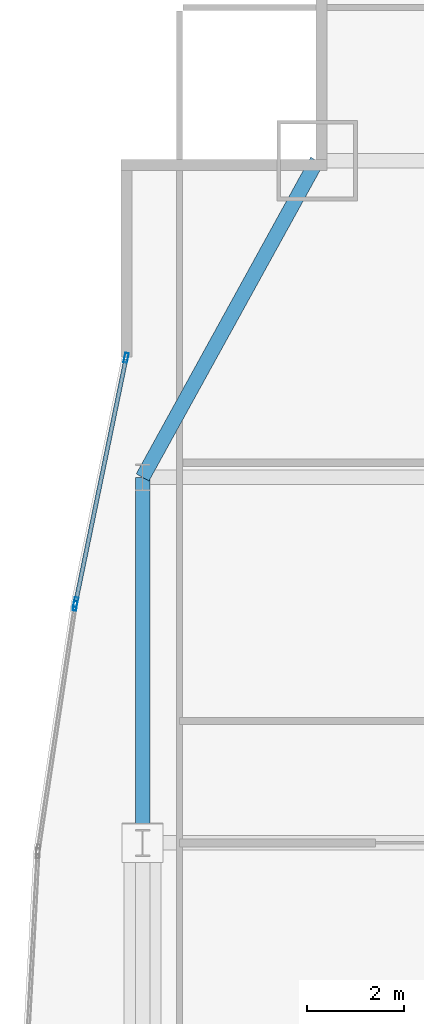
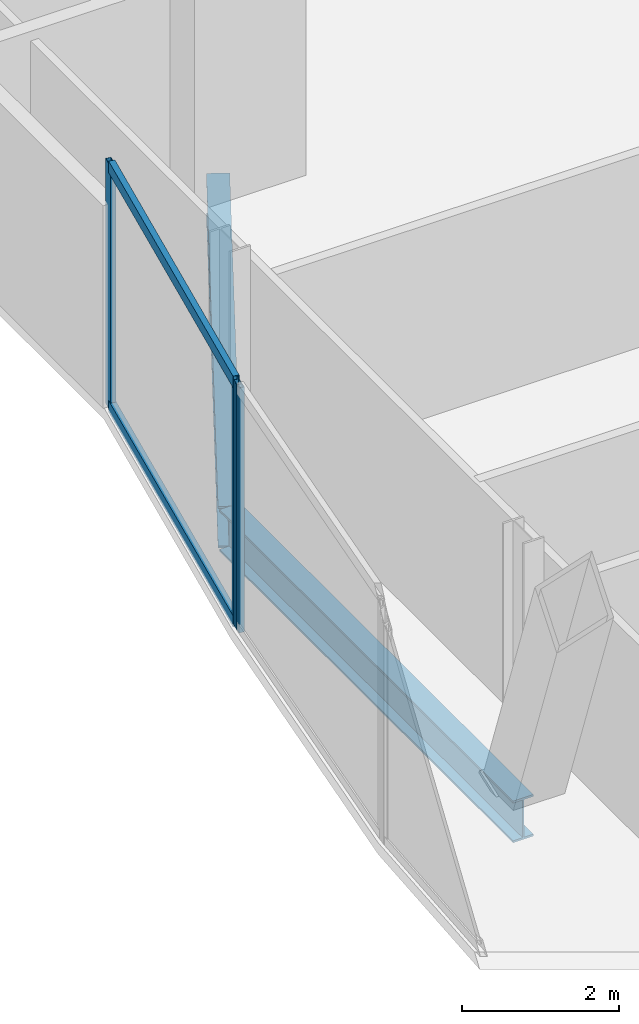
# One storey, part 16 of 36: 5 members, 2 beams, 2 elements without a shape of their own.
"""IFC4 building model written with IfcOpenShell, lengths in metres."""

from ifc_helpers import new_model, si_unit, direction, frame, origin, origin_2d, place, context, subcontext, project, spatial, hollow_rectangle, i_section, extrude, material, material_profile, profile_set, type_object, element, aggregate, save


model = new_model("IFC4")

# Units and contexts
model_context = context("Model", 3, precision=1e-05, world=origin(), true_north=direction((0.0, 1.0)))
body_context = subcontext(model_context, "Body", "Model", "MODEL_VIEW")
ifc_project = project(units=[si_unit("LENGTHUNIT", "METRE"), si_unit("AREAUNIT", "SQUARE_METRE"), si_unit("VOLUMEUNIT", "CUBIC_METRE"), si_unit("PLANEANGLEUNIT", "RADIAN"), si_unit("MASSUNIT", "GRAM", prefix="KILO")], contexts=[model_context])

# Site, building, storey
site_placement = place(None, origin())
site = spatial("IfcSite", under=ifc_project, at=site_placement, CompositionType="ELEMENT")
building_placement = place(site_placement, origin())
building = spatial("IfcBuilding", under=site, at=building_placement, Name="Khoronbel Lancet Exchange", CompositionType="ELEMENT")
storey_placement = place(building_placement, frame((0.0, 0.0, 49.800048828125)))
storey = spatial("IfcBuildingStorey", under=building, at=storey_placement, Name="L11", CompositionType="ELEMENT", Elevation=49.800048828125)

# Beams
ifc_material_1 = material(Name="Steel S355", Category="steel")
ifc_material_profile_1 = material_profile(ifc_material_1, i_section(OverallWidth=0.300048828125, OverallDepth=0.64990234375, WebThickness=0.01611328125, FlangeThickness=0.031005859375, at=origin_2d()), Name="HEB 650")
ifc_profile_set_1 = profile_set([ifc_material_profile_1], Name="Steel S355")
beam_type = type_object("IfcBeamType", Name="BM-BSP1", PredefinedType="SPANDREL", material=ifc_profile_set_1)
beam_1_placement = place(storey_placement, frame((4.85009765625, 49.699951171875, -0.505126953125), z_axis=(-0.482444051088, -0.875926787791, 0.0), x_axis=(0.875926787791, -0.482444051088, 0.0)))
element("IfcBeam", 1, at=beam_1_placement, inside=storey, type_object=beam_type, Name="Level L11 perimeter spandrel beam SP16", PredefinedType="SPANDREL", context=body_context, shape_type="SweptSolid", body=[
    extrude(i_section(OverallWidth=0.300048828125, OverallDepth=0.64990234375, WebThickness=0.01611328125, FlangeThickness=0.031005859375, at=origin_2d()), origin(), (0.0, 0.0, 1.0), 7.420654296875),
])
beam_2_placement = place(storey_placement, frame((1.27001953125, 43.199951171875, -0.505126953125), z_axis=(0.0, -1.0, 0.0), x_axis=(1.0, 0.0, 0.0)))
element("IfcBeam", 2, at=beam_2_placement, inside=storey, type_object=beam_type, Name="Level L11 perimeter spandrel beam SP17", PredefinedType="SPANDREL", context=body_context, shape_type="SweptSolid", body=[
    extrude(i_section(OverallWidth=0.300048828125, OverallDepth=0.64990234375, WebThickness=0.01611328125, FlangeThickness=0.031005859375, at=origin_2d()), origin(), (0.0, 0.0, 1.0), 7.5),
])

# Curtain wall, member
ifc_material_2 = material(Name="Low-E Solar Control Insulating Glass", Category="glass")
curtain_wall_type = type_object("IfcCurtainWallType", Name="CW-4", PredefinedType="NOTDEFINED", material=ifc_material_2)
curtain_wall_1_placement = place(storey_placement, origin())
curtain_wall_1 = element("IfcCurtainWall", 3, at=curtain_wall_1_placement, inside=storey, type_object=curtain_wall_type, Name="Unitised curtain wall CW-L11-E08", PredefinedType="NOTDEFINED")
ifc_material_3 = material(Name="Bronze-Anodised Aluminium 6063-T6", Category="aluminium")
ifc_material_profile_2 = material_profile(ifc_material_3, hollow_rectangle(XDim=0.074951171875, YDim=0.199951171875, WallThickness=0.0048828125, at=origin_2d()), Name="ALU MULLION 75x200")
ifc_profile_set_2 = profile_set([ifc_material_profile_2], Name="Bronze-Anodised Aluminium 6063-T6")
member_type_1 = type_object("IfcMemberType", Name="MEM-CWM2", PredefinedType="MULLION", material=ifc_profile_set_2)
member_1_placement = place(storey_placement, frame((-0.114990234375, 40.563720703125, 0.0), z_axis=(0.0, 0.0, 1.0), x_axis=(-0.988799357855, 0.149250895825, 0.0)))
member_1 = element("IfcMember", 4, at=member_1_placement, type_object=member_type_1, Name="CW4 mullion 2", PredefinedType="MULLION", context=body_context, shape_type="SweptSolid", body=[
    extrude(hollow_rectangle(XDim=0.074951171875, YDim=0.199951171875, WallThickness=0.0048828125, at=origin_2d()), origin(), (0.0, 0.0, 1.0), 3.820068359375),
])
aggregate(curtain_wall_1, [member_1])

# Curtain wall, members
curtain_wall_2_placement = place(storey_placement, origin())
curtain_wall_2 = element("IfcCurtainWall", 5, at=curtain_wall_2_placement, inside=storey, type_object=curtain_wall_type, Name="Unitised curtain wall CW-L11-E09", PredefinedType="NOTDEFINED")
member_2_placement = place(storey_placement, frame((-0.101806640625, 40.6376953125, 0.0), z_axis=(0.0, 0.0, 1.0), x_axis=(-0.979396974504, 0.201944463486, 0.0)))
member_2 = element("IfcMember", 6, at=member_2_placement, type_object=member_type_1, Name="CW4 mullion 1", PredefinedType="MULLION", context=body_context, shape_type="SweptSolid", body=[
    extrude(hollow_rectangle(XDim=0.074951171875, YDim=0.199951171875, WallThickness=0.0048828125, at=origin_2d()), origin(), (0.0, 0.0, 1.0), 3.820068359375),
])
member_3_placement = place(storey_placement, frame((0.932373046875, 45.654052734375, 0.0), z_axis=(0.0, 0.0, 1.0), x_axis=(-0.979396974504, 0.201944463486, 0.0)))
member_3 = element("IfcMember", 7, at=member_3_placement, type_object=member_type_1, Name="CW4 mullion 2", PredefinedType="MULLION", context=body_context, shape_type="SweptSolid", body=[
    extrude(hollow_rectangle(XDim=0.074951171875, YDim=0.199951171875, WallThickness=0.0048828125, at=origin_2d()), origin(), (0.0, 0.0, 1.0), 3.820068359375),
])
ifc_material_profile_3 = material_profile(ifc_material_3, hollow_rectangle(XDim=0.0849609375, YDim=0.179931640625, WallThickness=0.0048828125, at=origin_2d()), Name="ALU TRANSOM 85x180")
ifc_profile_set_3 = profile_set([ifc_material_profile_3], Name="Bronze-Anodised Aluminium 6063-T6")
member_type_2 = type_object("IfcMemberType", Name="MEM-CWT1", PredefinedType="USERDEFINED", material=ifc_profile_set_3)
member_4_placement = place(storey_placement, frame((-0.09423828125, 40.67431640625, 0.04248046875), z_axis=(0.201908145676, 0.979404462268, 0.0), x_axis=(-0.979404462268, 0.201908145676, 0.0)))
member_4 = element("IfcMember", 8, at=member_4_placement, type_object=member_type_2, Name="CW4 transom 1.1", ObjectType="TRANSOM", PredefinedType="USERDEFINED", context=body_context, shape_type="SweptSolid", body=[
    extrude(hollow_rectangle(XDim=0.0849609375, YDim=0.179931640625, WallThickness=0.0048828125, at=origin_2d()), origin(), (0.0, 0.0, 1.0), 5.047119140625),
])
member_5_placement = place(storey_placement, frame((-0.09423828125, 40.67431640625, 3.77734375), z_axis=(0.201908145676, 0.979404462268, 0.0), x_axis=(-0.979404462268, 0.201908145676, 0.0)))
member_5 = element("IfcMember", 9, at=member_5_placement, type_object=member_type_2, Name="CW4 transom 1.2", ObjectType="TRANSOM", PredefinedType="USERDEFINED", context=body_context, shape_type="SweptSolid", body=[
    extrude(hollow_rectangle(XDim=0.0849609375, YDim=0.179931640625, WallThickness=0.0048828125, at=origin_2d()), origin(), (0.0, 0.0, 1.0), 5.047119140625),
])
aggregate(curtain_wall_2, [member_2, member_3, member_4, member_5])

save(model, "model.ifc")
